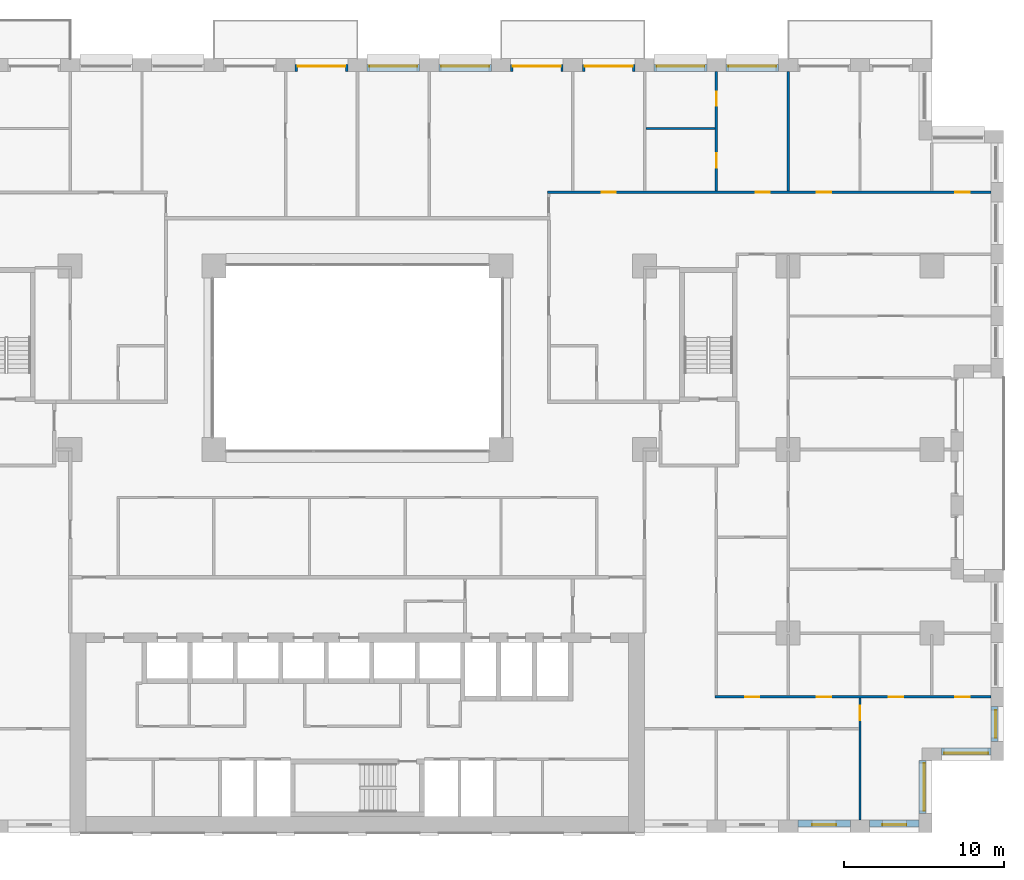
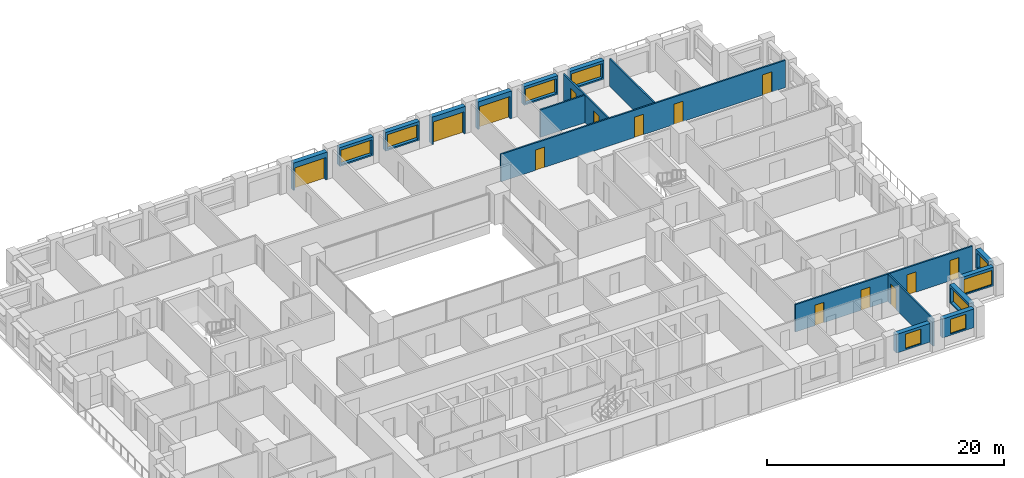
# One storey, part 15 of 19: 18 walls, 14 doors, 9 windows, 23 openings.
"""IFC4 building model written with IfcOpenShell, lengths in metres."""

from ifc_helpers import new_model, si_unit, direction, frame, frame_2d, origin, place, context, subcontext, project, spatial, rectangle, extrude, material, layer, layer_set, type_object, element, fill, save


model = new_model("IFC4")

# Units and contexts
model_context = context("Model", 3, precision=1e-05, world=origin(), true_north=direction((0.0, 1.0)))
body_context = subcontext(model_context, "Body", "Model", "MODEL_VIEW")
ifc_project = project(units=[si_unit("LENGTHUNIT", "METRE"), si_unit("AREAUNIT", "SQUARE_METRE"), si_unit("VOLUMEUNIT", "CUBIC_METRE"), si_unit("PLANEANGLEUNIT", "RADIAN"), si_unit("MASSUNIT", "GRAM", prefix="KILO")], contexts=[model_context])

# Site, building, storey
site_placement = place(None, origin())
site = spatial("IfcSite", under=ifc_project, at=site_placement, CompositionType="ELEMENT")
building_placement = place(site_placement, origin())
building = spatial("IfcBuilding", under=site, at=building_placement, Name="Brigalow Station Residences", CompositionType="ELEMENT")
storey_placement = place(building_placement, frame((0.0, 0.0, 22.64990234375)))
storey = spatial("IfcBuildingStorey", under=building, at=storey_placement, Name="L05", CompositionType="ELEMENT", Elevation=22.64990234375)

# Wall, opening, window
ifc_material_1 = material(Name="Clay brick masonry", Category="masonry")
ifc_layer_1 = layer(ifc_material_1, 0.449951171875)
ifc_layer_set_1 = layer_set([ifc_layer_1], Name="BRICK INFILL WALL 450")
wall_type_1 = type_object("IfcWallType", Name="BRICK INFILL WALL 450", PredefinedType="SOLIDWALL", material=ifc_layer_set_1)
wall_1_placement = place(storey_placement, frame((63.60009765625, 0.574951171875, 0.900146484375), z_axis=(0.0, 0.0, 1.0), x_axis=(1.0, 0.0, 0.0)))
wall_1 = element("IfcWall", 1, at=wall_1_placement, inside=storey, type_object=wall_type_1, Name="L05/ewall/W-L05-7", PredefinedType="SOLIDWALL", context=body_context, shape_type="SweptSolid", body=[
    extrude(rectangle(XDim=3.2998046875, YDim=0.449951171875, at=frame_2d((1.64990234375, 0.0))), origin(), (0.0, 0.0, 1.0), 1.929931640625),
])
opening_1_placement = place(wall_1_placement, frame((0.89990234375, 0.0, 0.14990234375)))
opening_1 = element("IfcOpeningElement", 2, at=opening_1_placement, cuts=wall_1, Name="Opening WT-1", PredefinedType="OPENING", context=body_context, shape_type="SweptSolid", body=[
    extrude(rectangle(XDim=1.5, YDim=1.5, at=frame_2d((0.75, 0.75))), frame((0.0, 0.23486328125, 0.0), z_axis=(0.0, -1.0, 0.0), x_axis=(1.0, 0.0, 0.0)), (0.0, 0.0, 1.0), 0.469970703125),
])
ifc_material_2 = material(Name="Anodised aluminium frame with double glazing", Category="aluminium")
window_type_1 = type_object("IfcWindowType", Name="WINDOW 1500x1500", PartitioningType="SINGLE_PANEL", PredefinedType="WINDOW", material=ifc_material_2)
window_1_placement = place(opening_1_placement, origin())
window_1 = element("IfcWindow", 3, at=window_1_placement, inside=storey, type_object=window_type_1, Name="L05/window/W-L05-7", OverallHeight=1.5, OverallWidth=1.5, PartitioningType="SINGLE_PANEL", PredefinedType="WINDOW", context=body_context, shape_type="SweptSolid", body=[
    extrude(rectangle(XDim=1.5, YDim=1.5, at=frame_2d((0.75, 0.75))), frame((0.0, -0.06494140625, 0.0), z_axis=(0.0, -1.0, 0.0), x_axis=(1.0, 0.0, 0.0)), (0.0, 0.0, 1.0), 0.06005859375),
])
fill(opening_1, window_1)

wall_2_placement = place(storey_placement, frame((68.10009765625, 0.574951171875, 0.900146484375), z_axis=(0.0, 0.0, 1.0), x_axis=(1.0, 0.0, 0.0)))
wall_2 = element("IfcWall", 4, at=wall_2_placement, inside=storey, type_object=wall_type_1, Name="L05/ewall/W-L05-8", PredefinedType="SOLIDWALL", context=body_context, shape_type="SweptSolid", body=[
    extrude(rectangle(XDim=3.099853515625, YDim=0.449951171875, at=frame_2d((1.5498046875, 0.0))), origin(), (0.0, 0.0, 1.0), 1.929931640625),
])
opening_2_placement = place(wall_2_placement, frame((0.800048828125, 0.0, 0.14990234375)))
opening_2 = element("IfcOpeningElement", 5, at=opening_2_placement, cuts=wall_2, Name="Opening WT-1", PredefinedType="OPENING", context=body_context, shape_type="SweptSolid", body=[
    extrude(rectangle(XDim=1.5, YDim=1.5, at=frame_2d((0.75, 0.75))), frame((0.0, 0.23486328125, 0.0), z_axis=(0.0, -1.0, 0.0), x_axis=(1.0, 0.0, 0.0)), (0.0, 0.0, 1.0), 0.469970703125),
])
window_2_placement = place(opening_2_placement, origin())
window_2 = element("IfcWindow", 6, at=window_2_placement, inside=storey, type_object=window_type_1, Name="L05/window/W-L05-8", OverallHeight=1.5, OverallWidth=1.5, PartitioningType="SINGLE_PANEL", PredefinedType="WINDOW", context=body_context, shape_type="SweptSolid", body=[
    extrude(rectangle(XDim=1.5, YDim=1.5, at=frame_2d((0.75, 0.75))), frame((0.0, -0.06494140625, 0.0), z_axis=(0.0, -1.0, 0.0), x_axis=(1.0, 0.0, 0.0)), (0.0, 0.0, 1.0), 0.06005859375),
])
fill(opening_2, window_2)

wall_3_placement = place(storey_placement, frame((71.425048828125, 1.199951171875, 0.900146484375), z_axis=(0.0, 0.0, 1.0), x_axis=(0.0, 1.0, 0.0)))
wall_3 = element("IfcWall", 7, at=wall_3_placement, inside=storey, type_object=wall_type_1, Name="L05/ewall/W-L05-9", PredefinedType="SOLIDWALL", context=body_context, shape_type="SweptSolid", body=[
    extrude(rectangle(XDim=3.300048828125, YDim=0.449951171875, at=frame_2d((1.64990234375, 0.0))), origin(), (0.0, 0.0, 1.0), 1.929931640625),
])
opening_3_placement = place(wall_3_placement, frame((0.14990234375, 0.0, 0.14990234375)))
opening_3 = element("IfcOpeningElement", 8, at=opening_3_placement, cuts=wall_3, Name="Opening WT-2", PredefinedType="OPENING", context=body_context, shape_type="SweptSolid", body=[
    extrude(rectangle(XDim=3.0, YDim=1.5, at=frame_2d((1.5, 0.75))), frame((0.0, 0.23486328125, 0.0), z_axis=(0.0, -1.0, 0.0), x_axis=(1.0, 0.0, 0.0)), (0.0, 0.0, 1.0), 0.469970703125),
])
ifc_material_3 = material(Name="Anodised aluminium frame with double glazing", Category="aluminium")
window_type_2 = type_object("IfcWindowType", Name="WINDOW 3000x1500", PartitioningType="SINGLE_PANEL", PredefinedType="WINDOW", material=ifc_material_3)
window_3_placement = place(opening_3_placement, origin())
window_3 = element("IfcWindow", 9, at=window_3_placement, inside=storey, type_object=window_type_2, Name="L05/window/W-L05-9", OverallHeight=1.5, OverallWidth=3.0, PartitioningType="SINGLE_PANEL", PredefinedType="WINDOW", context=body_context, shape_type="SweptSolid", body=[
    extrude(rectangle(XDim=3.0, YDim=1.5, at=frame_2d((1.5, 0.75))), frame((0.0, -0.06494140625, 0.0), z_axis=(0.0, -1.0, 0.0), x_axis=(1.0, 0.0, 0.0)), (0.0, 0.0, 1.0), 0.06005859375),
])
fill(opening_3, window_3)

wall_4_placement = place(storey_placement, frame((72.60009765625, 5.074951171875, 0.900146484375), z_axis=(0.0, 0.0, 1.0), x_axis=(1.0, 0.0, 0.0)))
wall_4 = element("IfcWall", 10, at=wall_4_placement, inside=storey, type_object=wall_type_1, Name="L05/ewall/W-L05-10", PredefinedType="SOLIDWALL", context=body_context, shape_type="SweptSolid", body=[
    extrude(rectangle(XDim=3.099853515625, YDim=0.449951171875, at=frame_2d((1.5498046875, 0.0))), origin(), (0.0, 0.0, 1.0), 1.929931640625),
])
opening_4_placement = place(wall_4_placement, frame((0.175048828125, 0.0, 0.14990234375)))
opening_4 = element("IfcOpeningElement", 11, at=opening_4_placement, cuts=wall_4, Name="Opening WT-3", PredefinedType="OPENING", context=body_context, shape_type="SweptSolid", body=[
    extrude(rectangle(XDim=2.75, YDim=1.5, at=frame_2d((1.375, 0.75))), frame((0.0, 0.23486328125, 0.0), z_axis=(0.0, -1.0, 0.0), x_axis=(1.0, 0.0, 0.0)), (0.0, 0.0, 1.0), 0.469970703125),
])
ifc_material_4 = material(Name="Anodised aluminium frame with double glazing", Category="aluminium")
window_type_3 = type_object("IfcWindowType", Name="WINDOW 2750x1500", PartitioningType="SINGLE_PANEL", PredefinedType="WINDOW", material=ifc_material_4)
window_4_placement = place(opening_4_placement, origin())
window_4 = element("IfcWindow", 12, at=window_4_placement, inside=storey, type_object=window_type_3, Name="L05/window/W-L05-10", OverallHeight=1.5, OverallWidth=2.75, PartitioningType="SINGLE_PANEL", PredefinedType="WINDOW", context=body_context, shape_type="SweptSolid", body=[
    extrude(rectangle(XDim=2.75, YDim=1.5, at=frame_2d((1.375, 0.75))), frame((0.0, -0.06494140625, 0.0), z_axis=(0.0, -1.0, 0.0), x_axis=(1.0, 0.0, 0.0)), (0.0, 0.0, 1.0), 0.06005859375),
])
fill(opening_4, window_4)

wall_5_placement = place(storey_placement, frame((75.925048828125, 5.699951171875, 0.900146484375), z_axis=(0.0, 0.0, 1.0), x_axis=(0.0, 1.0, 0.0)))
wall_5 = element("IfcWall", 13, at=wall_5_placement, inside=storey, type_object=wall_type_1, Name="L05/ewall/W-L05-11", PredefinedType="SOLIDWALL", context=body_context, shape_type="SweptSolid", body=[
    extrude(rectangle(XDim=2.199951171875, YDim=0.449951171875, at=frame_2d((1.10009765625, 0.0))), origin(), (0.0, 0.0, 1.0), 1.929931640625),
])
opening_5_placement = place(wall_5_placement, frame((0.22509765625, 0.0, 0.14990234375)))
opening_5 = element("IfcOpeningElement", 14, at=opening_5_placement, cuts=wall_5, Name="Opening WT-4", PredefinedType="OPENING", context=body_context, shape_type="SweptSolid", body=[
    extrude(rectangle(XDim=1.75, YDim=1.5, at=frame_2d((0.875, 0.75))), frame((0.0, 0.23486328125, 0.0), z_axis=(0.0, -1.0, 0.0), x_axis=(1.0, 0.0, 0.0)), (0.0, 0.0, 1.0), 0.469970703125),
])
ifc_material_5 = material(Name="Anodised aluminium frame with double glazing", Category="aluminium")
window_type_4 = type_object("IfcWindowType", Name="WINDOW 1750x1500", PartitioningType="SINGLE_PANEL", PredefinedType="WINDOW", material=ifc_material_5)
window_5_placement = place(opening_5_placement, origin())
window_5 = element("IfcWindow", 15, at=window_5_placement, inside=storey, type_object=window_type_4, Name="L05/window/W-L05-11", OverallHeight=1.5, OverallWidth=1.75, PartitioningType="SINGLE_PANEL", PredefinedType="WINDOW", context=body_context, shape_type="SweptSolid", body=[
    extrude(rectangle(XDim=1.75, YDim=1.5, at=frame_2d((0.875, 0.75))), frame((0.0, -0.06494140625, 0.0), z_axis=(0.0, -1.0, 0.0), x_axis=(1.0, 0.0, 0.0)), (0.0, 0.0, 1.0), 0.06005859375),
])
fill(opening_5, window_5)

wall_6_placement = place(storey_placement, frame((62.39990234375, 47.925048828125, 0.900146484375), z_axis=(0.0, 0.0, 1.0), x_axis=(-1.0, 0.0, 0.0)))
wall_6 = element("IfcWall", 16, at=wall_6_placement, inside=storey, type_object=wall_type_1, Name="L05/ewall/W-L05-27", PredefinedType="SOLIDWALL", context=body_context, shape_type="SweptSolid", body=[
    extrude(rectangle(XDim=3.2998046875, YDim=0.449951171875, at=frame_2d((1.64990234375, 0.0))), origin(), (0.0, 0.0, 1.0), 1.929931640625),
])
opening_6_placement = place(wall_6_placement, frame((0.14990234375, 0.0, 0.14990234375)))
opening_6 = element("IfcOpeningElement", 17, at=opening_6_placement, cuts=wall_6, Name="Opening WT-2", PredefinedType="OPENING", context=body_context, shape_type="SweptSolid", body=[
    extrude(rectangle(XDim=3.0, YDim=1.5, at=frame_2d((1.5, 0.75))), frame((0.0, 0.23486328125, 0.0), z_axis=(0.0, -1.0, 0.0), x_axis=(1.0, 0.0, 0.0)), (0.0, 0.0, 1.0), 0.469970703125),
])
window_6_placement = place(opening_6_placement, origin())
window_6 = element("IfcWindow", 18, at=window_6_placement, inside=storey, type_object=window_type_2, Name="L05/window/W-L05-27", OverallHeight=1.5, OverallWidth=3.0, PartitioningType="SINGLE_PANEL", PredefinedType="WINDOW", context=body_context, shape_type="SweptSolid", body=[
    extrude(rectangle(XDim=3.0, YDim=1.5, at=frame_2d((1.5, 0.75))), frame((0.0, -0.06494140625, 0.0), z_axis=(0.0, -1.0, 0.0), x_axis=(1.0, 0.0, 0.0)), (0.0, 0.0, 1.0), 0.06005859375),
])
fill(opening_6, window_6)

wall_7_placement = place(storey_placement, frame((57.89990234375, 47.925048828125, 0.900146484375), z_axis=(0.0, 0.0, 1.0), x_axis=(-1.0, 0.0, 0.0)))
wall_7 = element("IfcWall", 19, at=wall_7_placement, inside=storey, type_object=wall_type_1, Name="L05/ewall/W-L05-28", PredefinedType="SOLIDWALL", context=body_context, shape_type="SweptSolid", body=[
    extrude(rectangle(XDim=3.2998046875, YDim=0.449951171875, at=frame_2d((1.64990234375, 0.0))), origin(), (0.0, 0.0, 1.0), 1.929931640625),
])
opening_7_placement = place(wall_7_placement, frame((0.14990234375, 0.0, 0.14990234375)))
opening_7 = element("IfcOpeningElement", 20, at=opening_7_placement, cuts=wall_7, Name="Opening WT-2", PredefinedType="OPENING", context=body_context, shape_type="SweptSolid", body=[
    extrude(rectangle(XDim=3.0, YDim=1.5, at=frame_2d((1.5, 0.75))), frame((0.0, 0.23486328125, 0.0), z_axis=(0.0, -1.0, 0.0), x_axis=(1.0, 0.0, 0.0)), (0.0, 0.0, 1.0), 0.469970703125),
])
window_7_placement = place(opening_7_placement, origin())
window_7 = element("IfcWindow", 21, at=window_7_placement, inside=storey, type_object=window_type_2, Name="L05/window/W-L05-28", OverallHeight=1.5, OverallWidth=3.0, PartitioningType="SINGLE_PANEL", PredefinedType="WINDOW", context=body_context, shape_type="SweptSolid", body=[
    extrude(rectangle(XDim=3.0, YDim=1.5, at=frame_2d((1.5, 0.75))), frame((0.0, -0.06494140625, 0.0), z_axis=(0.0, -1.0, 0.0), x_axis=(1.0, 0.0, 0.0)), (0.0, 0.0, 1.0), 0.06005859375),
])
fill(opening_7, window_7)

# Wall, opening, door
wall_8_placement = place(storey_placement, frame((53.39990234375, 47.925048828125, 0.0), z_axis=(0.0, 0.0, 1.0), x_axis=(-1.0, 0.0, 0.0)))
wall_8 = element("IfcWall", 22, at=wall_8_placement, inside=storey, type_object=wall_type_1, Name="L05/ewall/W-L05-29", PredefinedType="SOLIDWALL", context=body_context, shape_type="SweptSolid", body=[
    extrude(rectangle(XDim=3.2998046875, YDim=0.449951171875, at=frame_2d((1.64990234375, 0.0))), origin(), (0.0, 0.0, 1.0), 2.830078125),
])
opening_8_placement = place(wall_8_placement, frame((0.14990234375, 0.0, 0.0)))
opening_8 = element("IfcOpeningElement", 23, at=opening_8_placement, cuts=wall_8, Name="Opening D-B3000", PredefinedType="OPENING", context=body_context, shape_type="SweptSolid", body=[
    extrude(rectangle(XDim=3.0, YDim=2.300048828125, at=frame_2d((1.5, 1.14990234375))), frame((0.0, 0.23486328125, 0.0), z_axis=(0.0, -1.0, 0.0), x_axis=(1.0, 0.0, 0.0)), (0.0, 0.0, 1.0), 0.469970703125),
])
ifc_material_6 = material(Name="Anodised aluminium frame with double glazing", Category="aluminium")
door_type_1 = type_object("IfcDoorType", Name="BALCONY SLIDING DOOR 3000x2300", OperationType="SLIDING_TO_LEFT", PredefinedType="DOOR", material=ifc_material_6)
door_1_placement = place(opening_8_placement, origin())
door_1 = element("IfcDoor", 24, at=door_1_placement, inside=storey, type_object=door_type_1, Name="L05/balcony-door/W-L05-29", OperationType="SLIDING_TO_LEFT", OverallHeight=2.300048828125, OverallWidth=3.0, PredefinedType="DOOR", context=body_context, shape_type="SweptSolid", body=[
    extrude(rectangle(XDim=3.0, YDim=2.300048828125, at=frame_2d((1.5, 1.14990234375))), frame((0.0, -0.06982421875, 0.0), z_axis=(0.0, -1.0, 0.0), x_axis=(1.0, 0.0, 0.0)), (0.0, 0.0, 1.0), 0.050048828125),
])
fill(opening_8, door_1)

wall_9_placement = place(storey_placement, frame((48.89990234375, 47.925048828125, 0.0), z_axis=(0.0, 0.0, 1.0), x_axis=(-1.0, 0.0, 0.0)))
wall_9 = element("IfcWall", 25, at=wall_9_placement, inside=storey, type_object=wall_type_1, Name="L05/ewall/W-L05-30", PredefinedType="SOLIDWALL", context=body_context, shape_type="SweptSolid", body=[
    extrude(rectangle(XDim=3.2998046875, YDim=0.449951171875, at=frame_2d((1.64990234375, 0.0))), origin(), (0.0, 0.0, 1.0), 2.830078125),
])
opening_9_placement = place(wall_9_placement, frame((0.14990234375, 0.0, 0.0)))
opening_9 = element("IfcOpeningElement", 26, at=opening_9_placement, cuts=wall_9, Name="Opening D-B3000", PredefinedType="OPENING", context=body_context, shape_type="SweptSolid", body=[
    extrude(rectangle(XDim=3.0, YDim=2.300048828125, at=frame_2d((1.5, 1.14990234375))), frame((0.0, 0.23486328125, 0.0), z_axis=(0.0, -1.0, 0.0), x_axis=(1.0, 0.0, 0.0)), (0.0, 0.0, 1.0), 0.469970703125),
])
door_2_placement = place(opening_9_placement, origin())
door_2 = element("IfcDoor", 27, at=door_2_placement, inside=storey, type_object=door_type_1, Name="L05/balcony-door/W-L05-30", OperationType="SLIDING_TO_LEFT", OverallHeight=2.300048828125, OverallWidth=3.0, PredefinedType="DOOR", context=body_context, shape_type="SweptSolid", body=[
    extrude(rectangle(XDim=3.0, YDim=2.300048828125, at=frame_2d((1.5, 1.14990234375))), frame((0.0, -0.06982421875, 0.0), z_axis=(0.0, -1.0, 0.0), x_axis=(1.0, 0.0, 0.0)), (0.0, 0.0, 1.0), 0.050048828125),
])
fill(opening_9, door_2)

# Wall, opening, window
wall_10_placement = place(storey_placement, frame((44.39990234375, 47.925048828125, 0.900146484375), z_axis=(0.0, 0.0, 1.0), x_axis=(-1.0, 0.0, 0.0)))
wall_10 = element("IfcWall", 28, at=wall_10_placement, inside=storey, type_object=wall_type_1, Name="L05/ewall/W-L05-31", PredefinedType="SOLIDWALL", context=body_context, shape_type="SweptSolid", body=[
    extrude(rectangle(XDim=3.2998046875, YDim=0.449951171875, at=frame_2d((1.64990234375, 0.0))), origin(), (0.0, 0.0, 1.0), 1.929931640625),
])
opening_10_placement = place(wall_10_placement, frame((0.14990234375, 0.0, 0.14990234375)))
opening_10 = element("IfcOpeningElement", 29, at=opening_10_placement, cuts=wall_10, Name="Opening WT-2", PredefinedType="OPENING", context=body_context, shape_type="SweptSolid", body=[
    extrude(rectangle(XDim=3.0, YDim=1.5, at=frame_2d((1.5, 0.75))), frame((0.0, 0.23486328125, 0.0), z_axis=(0.0, -1.0, 0.0), x_axis=(1.0, 0.0, 0.0)), (0.0, 0.0, 1.0), 0.469970703125),
])
window_8_placement = place(opening_10_placement, origin())
window_8 = element("IfcWindow", 30, at=window_8_placement, inside=storey, type_object=window_type_2, Name="L05/window/W-L05-31", OverallHeight=1.5, OverallWidth=3.0, PartitioningType="SINGLE_PANEL", PredefinedType="WINDOW", context=body_context, shape_type="SweptSolid", body=[
    extrude(rectangle(XDim=3.0, YDim=1.5, at=frame_2d((1.5, 0.75))), frame((0.0, -0.06494140625, 0.0), z_axis=(0.0, -1.0, 0.0), x_axis=(1.0, 0.0, 0.0)), (0.0, 0.0, 1.0), 0.06005859375),
])
fill(opening_10, window_8)

wall_11_placement = place(storey_placement, frame((39.89990234375, 47.925048828125, 0.900146484375), z_axis=(0.0, 0.0, 1.0), x_axis=(-1.0, 0.0, 0.0)))
wall_11 = element("IfcWall", 31, at=wall_11_placement, inside=storey, type_object=wall_type_1, Name="L05/ewall/W-L05-32", PredefinedType="SOLIDWALL", context=body_context, shape_type="SweptSolid", body=[
    extrude(rectangle(XDim=3.2998046875, YDim=0.449951171875, at=frame_2d((1.64990234375, 0.0))), origin(), (0.0, 0.0, 1.0), 1.929931640625),
])
opening_11_placement = place(wall_11_placement, frame((0.14990234375, 0.0, 0.14990234375)))
opening_11 = element("IfcOpeningElement", 32, at=opening_11_placement, cuts=wall_11, Name="Opening WT-2", PredefinedType="OPENING", context=body_context, shape_type="SweptSolid", body=[
    extrude(rectangle(XDim=3.0, YDim=1.5, at=frame_2d((1.5, 0.75))), frame((0.0, 0.23486328125, 0.0), z_axis=(0.0, -1.0, 0.0), x_axis=(1.0, 0.0, 0.0)), (0.0, 0.0, 1.0), 0.469970703125),
])
window_9_placement = place(opening_11_placement, origin())
window_9 = element("IfcWindow", 33, at=window_9_placement, inside=storey, type_object=window_type_2, Name="L05/window/W-L05-32", OverallHeight=1.5, OverallWidth=3.0, PartitioningType="SINGLE_PANEL", PredefinedType="WINDOW", context=body_context, shape_type="SweptSolid", body=[
    extrude(rectangle(XDim=3.0, YDim=1.5, at=frame_2d((1.5, 0.75))), frame((0.0, -0.06494140625, 0.0), z_axis=(0.0, -1.0, 0.0), x_axis=(1.0, 0.0, 0.0)), (0.0, 0.0, 1.0), 0.06005859375),
])
fill(opening_11, window_9)

# Wall, opening, door
wall_12_placement = place(storey_placement, frame((35.39990234375, 47.925048828125, 0.0), z_axis=(0.0, 0.0, 1.0), x_axis=(-1.0, 0.0, 0.0)))
wall_12 = element("IfcWall", 34, at=wall_12_placement, inside=storey, type_object=wall_type_1, Name="L05/ewall/W-L05-33", PredefinedType="SOLIDWALL", context=body_context, shape_type="SweptSolid", body=[
    extrude(rectangle(XDim=3.2998046875, YDim=0.449951171875, at=frame_2d((1.64990234375, 0.0))), origin(), (0.0, 0.0, 1.0), 2.830078125),
])
opening_12_placement = place(wall_12_placement, frame((0.14990234375, 0.0, 0.0)))
opening_12 = element("IfcOpeningElement", 35, at=opening_12_placement, cuts=wall_12, Name="Opening D-B3000", PredefinedType="OPENING", context=body_context, shape_type="SweptSolid", body=[
    extrude(rectangle(XDim=3.0, YDim=2.300048828125, at=frame_2d((1.5, 1.14990234375))), frame((0.0, 0.23486328125, 0.0), z_axis=(0.0, -1.0, 0.0), x_axis=(1.0, 0.0, 0.0)), (0.0, 0.0, 1.0), 0.469970703125),
])
door_3_placement = place(opening_12_placement, origin())
door_3 = element("IfcDoor", 36, at=door_3_placement, inside=storey, type_object=door_type_1, Name="L05/balcony-door/W-L05-33", OperationType="SLIDING_TO_LEFT", OverallHeight=2.300048828125, OverallWidth=3.0, PredefinedType="DOOR", context=body_context, shape_type="SweptSolid", body=[
    extrude(rectangle(XDim=3.0, YDim=2.300048828125, at=frame_2d((1.5, 1.14990234375))), frame((0.0, -0.06982421875, 0.0), z_axis=(0.0, -1.0, 0.0), x_axis=(1.0, 0.0, 0.0)), (0.0, 0.0, 1.0), 0.050048828125),
])
fill(opening_12, door_3)

# Wall, openings, doors
ifc_material_7 = material(Name="Plasterboard on steel stud partition", Category="steel")
ifc_layer_2 = layer(ifc_material_7, 0.14990234375)
ifc_layer_set_2 = layer_set([ifc_layer_2], Name="FLAT PARTITION 150")
wall_type_2 = type_object("IfcWallType", Name="FLAT PARTITION 150", PredefinedType="PARTITIONING", material=ifc_layer_set_2)
wall_13_placement = place(storey_placement, frame((58.425048828125, 8.5, 0.0), z_axis=(0.0, 0.0, 1.0), x_axis=(1.0, 0.0, 0.0)))
wall_13 = element("IfcWall", 37, at=wall_13_placement, inside=storey, type_object=wall_type_2, Name="PW-1A10", PredefinedType="PARTITIONING", context=body_context, shape_type="SweptSolid", body=[
    extrude(rectangle(XDim=17.27490234375, YDim=0.14990234375, at=frame_2d((8.637451171875, 0.0))), origin(), (0.0, 0.0, 1.0), 2.830078125),
])
opening_13_placement = place(wall_13_placement, frame((1.875, 0.0, 0.0)))
opening_13 = element("IfcOpeningElement", 38, at=opening_13_placement, cuts=wall_13, Name="Opening D-1A33", PredefinedType="OPENING", context=body_context, shape_type="SweptSolid", body=[
    extrude(rectangle(XDim=0.89990234375, YDim=2.10009765625, at=frame_2d((0.449951171875, 1.050048828125))), frame((0.0, 0.0849609375, 0.0), z_axis=(0.0, -1.0, 0.0), x_axis=(1.0, 0.0, 0.0)), (0.0, 0.0, 1.0), 0.169921875),
])
opening_14_placement = place(wall_13_placement, frame((6.375, 0.0, 0.0)))
opening_14 = element("IfcOpeningElement", 39, at=opening_14_placement, cuts=wall_13, Name="Opening D-1A34", PredefinedType="OPENING", context=body_context, shape_type="SweptSolid", body=[
    extrude(rectangle(XDim=0.89990234375, YDim=2.10009765625, at=frame_2d((0.449951171875, 1.050048828125))), frame((0.0, 0.0849609375, 0.0), z_axis=(0.0, -1.0, 0.0), x_axis=(1.0, 0.0, 0.0)), (0.0, 0.0, 1.0), 0.169921875),
])
opening_15_placement = place(wall_13_placement, frame((10.875, 0.0, 0.0)))
opening_15 = element("IfcOpeningElement", 40, at=opening_15_placement, cuts=wall_13, Name="Opening D-1A36", PredefinedType="OPENING", context=body_context, shape_type="SweptSolid", body=[
    extrude(rectangle(XDim=0.89990234375, YDim=2.10009765625, at=frame_2d((0.449951171875, 1.050048828125))), frame((0.0, 0.0849609375, 0.0), z_axis=(0.0, -1.0, 0.0), x_axis=(1.0, 0.0, 0.0)), (0.0, 0.0, 1.0), 0.169921875),
])
opening_16_placement = place(wall_13_placement, frame((15.050048828125, 0.0, 0.0)))
opening_16 = element("IfcOpeningElement", 41, at=opening_16_placement, cuts=wall_13, Name="Opening D-1A37", PredefinedType="OPENING", context=body_context, shape_type="SweptSolid", body=[
    extrude(rectangle(XDim=0.89990234375, YDim=2.10009765625, at=frame_2d((0.449951171875, 1.050048828125))), frame((0.0, 0.0849609375, 0.0), z_axis=(0.0, -1.0, 0.0), x_axis=(1.0, 0.0, 0.0)), (0.0, 0.0, 1.0), 0.169921875),
])
ifc_material_8 = material(Name="Solid-core timber door leaf", Category="wood")
door_type_2 = type_object("IfcDoorType", Name="INTERNAL DOOR 900 x 2100", OperationType="SINGLE_SWING_LEFT", PredefinedType="DOOR", material=ifc_material_8)
door_4_placement = place(opening_13_placement, origin())
door_4 = element("IfcDoor", 42, at=door_4_placement, inside=storey, type_object=door_type_2, Name="D-1A33", OperationType="SINGLE_SWING_LEFT", OverallHeight=2.10009765625, OverallWidth=0.89990234375, PredefinedType="DOOR", context=body_context, shape_type="SweptSolid", body=[
    extrude(rectangle(XDim=0.89990234375, YDim=2.10009765625, at=frame_2d((0.449951171875, 1.050048828125))), frame((0.0, 0.02490234375, 0.0), z_axis=(0.0, -1.0, 0.0), x_axis=(1.0, 0.0, 0.0)), (0.0, 0.0, 1.0), 0.050048828125),
])
fill(opening_13, door_4)
door_5_placement = place(opening_14_placement, origin())
door_5 = element("IfcDoor", 43, at=door_5_placement, inside=storey, type_object=door_type_2, Name="D-1A34", OperationType="SINGLE_SWING_LEFT", OverallHeight=2.10009765625, OverallWidth=0.89990234375, PredefinedType="DOOR", context=body_context, shape_type="SweptSolid", body=[
    extrude(rectangle(XDim=0.89990234375, YDim=2.10009765625, at=frame_2d((0.449951171875, 1.050048828125))), frame((0.0, 0.02490234375, 0.0), z_axis=(0.0, -1.0, 0.0), x_axis=(1.0, 0.0, 0.0)), (0.0, 0.0, 1.0), 0.050048828125),
])
fill(opening_14, door_5)
door_6_placement = place(opening_15_placement, origin())
door_6 = element("IfcDoor", 44, at=door_6_placement, inside=storey, type_object=door_type_2, Name="D-1A36", OperationType="SINGLE_SWING_LEFT", OverallHeight=2.10009765625, OverallWidth=0.89990234375, PredefinedType="DOOR", context=body_context, shape_type="SweptSolid", body=[
    extrude(rectangle(XDim=0.89990234375, YDim=2.10009765625, at=frame_2d((0.449951171875, 1.050048828125))), frame((0.0, 0.02490234375, 0.0), z_axis=(0.0, -1.0, 0.0), x_axis=(1.0, 0.0, 0.0)), (0.0, 0.0, 1.0), 0.050048828125),
])
fill(opening_15, door_6)
door_7_placement = place(opening_16_placement, origin())
door_7 = element("IfcDoor", 45, at=door_7_placement, inside=storey, type_object=door_type_2, Name="D-1A37", OperationType="SINGLE_SWING_RIGHT", OverallHeight=2.10009765625, OverallWidth=0.89990234375, PredefinedType="DOOR", context=body_context, shape_type="SweptSolid", body=[
    extrude(rectangle(XDim=0.89990234375, YDim=2.10009765625, at=frame_2d((0.449951171875, 1.050048828125))), frame((0.0, 0.02490234375, 0.0), z_axis=(0.0, -1.0, 0.0), x_axis=(1.0, 0.0, 0.0)), (0.0, 0.0, 1.0), 0.050048828125),
])
fill(opening_16, door_7)

wall_14_placement = place(storey_placement, frame((47.925048828125, 40.125, 0.0), z_axis=(0.0, 0.0, 1.0), x_axis=(1.0, 0.0, 0.0)))
wall_14 = element("IfcWall", 46, at=wall_14_placement, inside=storey, type_object=wall_type_2, Name="PW-1A23", PredefinedType="PARTITIONING", context=body_context, shape_type="SweptSolid", body=[
    extrude(rectangle(XDim=27.77490234375, YDim=0.14990234375, at=frame_2d((13.887451171875, 0.0))), origin(), (0.0, 0.0, 1.0), 2.830078125),
])
opening_17_placement = place(wall_14_placement, frame((16.875, 0.0, 0.0)))
opening_17 = element("IfcOpeningElement", 47, at=opening_17_placement, cuts=wall_14, Name="Opening D-1A53", PredefinedType="OPENING", context=body_context, shape_type="SweptSolid", body=[
    extrude(rectangle(XDim=0.89990234375, YDim=2.10009765625, at=frame_2d((0.449951171875, 1.050048828125))), frame((0.0, 0.0849609375, 0.0), z_axis=(0.0, -1.0, 0.0), x_axis=(1.0, 0.0, 0.0)), (0.0, 0.0, 1.0), 0.169921875),
])
opening_18_placement = place(wall_14_placement, frame((13.02490234375, 0.0, 0.0)))
opening_18 = element("IfcOpeningElement", 48, at=opening_18_placement, cuts=wall_14, Name="Opening D-1A55", PredefinedType="OPENING", context=body_context, shape_type="SweptSolid", body=[
    extrude(rectangle(XDim=0.89990234375, YDim=2.10009765625, at=frame_2d((0.449951171875, 1.050048828125))), frame((0.0, 0.0849609375, 0.0), z_axis=(0.0, -1.0, 0.0), x_axis=(1.0, 0.0, 0.0)), (0.0, 0.0, 1.0), 0.169921875),
])
opening_19_placement = place(wall_14_placement, frame((3.375, 0.0, 0.0)))
opening_19 = element("IfcOpeningElement", 49, at=opening_19_placement, cuts=wall_14, Name="Opening D-1A58", PredefinedType="OPENING", context=body_context, shape_type="SweptSolid", body=[
    extrude(rectangle(XDim=0.89990234375, YDim=2.10009765625, at=frame_2d((0.449951171875, 1.050048828125))), frame((0.0, 0.0849609375, 0.0), z_axis=(0.0, -1.0, 0.0), x_axis=(1.0, 0.0, 0.0)), (0.0, 0.0, 1.0), 0.169921875),
])
opening_20_placement = place(wall_14_placement, frame((25.550048828125, 0.0, 0.0)))
opening_20 = element("IfcOpeningElement", 50, at=opening_20_placement, cuts=wall_14, Name="Opening D-1A59", PredefinedType="OPENING", context=body_context, shape_type="SweptSolid", body=[
    extrude(rectangle(XDim=0.89990234375, YDim=2.10009765625, at=frame_2d((0.449951171875, 1.050048828125))), frame((0.0, 0.0849609375, 0.0), z_axis=(0.0, -1.0, 0.0), x_axis=(1.0, 0.0, 0.0)), (0.0, 0.0, 1.0), 0.169921875),
])
door_8_placement = place(opening_17_placement, origin())
door_8 = element("IfcDoor", 51, at=door_8_placement, inside=storey, type_object=door_type_2, Name="D-1A53", OperationType="SINGLE_SWING_RIGHT", OverallHeight=2.10009765625, OverallWidth=0.89990234375, PredefinedType="DOOR", context=body_context, shape_type="SweptSolid", body=[
    extrude(rectangle(XDim=0.89990234375, YDim=2.10009765625, at=frame_2d((0.449951171875, 1.050048828125))), frame((0.0, 0.02490234375, 0.0), z_axis=(0.0, -1.0, 0.0), x_axis=(1.0, 0.0, 0.0)), (0.0, 0.0, 1.0), 0.050048828125),
])
fill(opening_17, door_8)
door_9_placement = place(opening_18_placement, origin())
door_9 = element("IfcDoor", 52, at=door_9_placement, inside=storey, type_object=door_type_2, Name="D-1A55", OperationType="SINGLE_SWING_RIGHT", OverallHeight=2.10009765625, OverallWidth=0.89990234375, PredefinedType="DOOR", context=body_context, shape_type="SweptSolid", body=[
    extrude(rectangle(XDim=0.89990234375, YDim=2.10009765625, at=frame_2d((0.449951171875, 1.050048828125))), frame((0.0, 0.02490234375, 0.0), z_axis=(0.0, -1.0, 0.0), x_axis=(1.0, 0.0, 0.0)), (0.0, 0.0, 1.0), 0.050048828125),
])
fill(opening_18, door_9)
door_10_placement = place(opening_19_placement, origin())
door_10 = element("IfcDoor", 53, at=door_10_placement, inside=storey, type_object=door_type_2, Name="D-1A58", OperationType="SINGLE_SWING_RIGHT", OverallHeight=2.10009765625, OverallWidth=0.89990234375, PredefinedType="DOOR", context=body_context, shape_type="SweptSolid", body=[
    extrude(rectangle(XDim=0.89990234375, YDim=2.10009765625, at=frame_2d((0.449951171875, 1.050048828125))), frame((0.0, 0.02490234375, 0.0), z_axis=(0.0, -1.0, 0.0), x_axis=(1.0, 0.0, 0.0)), (0.0, 0.0, 1.0), 0.050048828125),
])
fill(opening_19, door_10)
door_11_placement = place(opening_20_placement, origin())
door_11 = element("IfcDoor", 54, at=door_11_placement, inside=storey, type_object=door_type_2, Name="D-1A59", OperationType="SINGLE_SWING_RIGHT", OverallHeight=2.10009765625, OverallWidth=0.89990234375, PredefinedType="DOOR", context=body_context, shape_type="SweptSolid", body=[
    extrude(rectangle(XDim=0.89990234375, YDim=2.10009765625, at=frame_2d((0.449951171875, 1.050048828125))), frame((0.0, 0.02490234375, 0.0), z_axis=(0.0, -1.0, 0.0), x_axis=(1.0, 0.0, 0.0)), (0.0, 0.0, 1.0), 0.050048828125),
])
fill(opening_20, door_11)

# Wall
wall_15_placement = place(storey_placement, frame((54.074951171875, 44.125, 0.0), z_axis=(0.0, 0.0, 1.0), x_axis=(1.0, 0.0, 0.0)))
element("IfcWall", 55, at=wall_15_placement, inside=storey, type_object=wall_type_2, Name="PW-1A27", PredefinedType="PARTITIONING", context=body_context, shape_type="SweptSolid", body=[
    extrude(rectangle(XDim=4.35009765625, YDim=0.14990234375, at=frame_2d((2.175048828125, 0.0))), origin(), (0.0, 0.0, 1.0), 2.830078125),
])

# Wall, openings, doors
wall_16_placement = place(storey_placement, frame((58.5, 40.199951171875, 0.0), z_axis=(0.0, 0.0, 1.0), x_axis=(0.0, 1.0, 0.0)))
wall_16 = element("IfcWall", 56, at=wall_16_placement, inside=storey, type_object=wall_type_2, Name="PW-1A63", PredefinedType="PARTITIONING", context=body_context, shape_type="SweptSolid", body=[
    extrude(rectangle(XDim=7.5, YDim=0.14990234375, at=frame_2d((3.75, 0.0))), origin(), (0.0, 0.0, 1.0), 2.830078125),
])
opening_21_placement = place(wall_16_placement, frame((1.47509765625, 0.0, 0.0)))
opening_21 = element("IfcOpeningElement", 57, at=opening_21_placement, cuts=wall_16, Name="Opening D-1A56", PredefinedType="OPENING", context=body_context, shape_type="SweptSolid", body=[
    extrude(rectangle(XDim=0.89990234375, YDim=2.10009765625, at=frame_2d((0.449951171875, 1.050048828125))), frame((0.0, 0.0849609375, 0.0), z_axis=(0.0, -1.0, 0.0), x_axis=(1.0, 0.0, 0.0)), (0.0, 0.0, 1.0), 0.169921875),
])
opening_22_placement = place(wall_16_placement, frame((5.3369140625, 0.0, 0.0)))
opening_22 = element("IfcOpeningElement", 58, at=opening_22_placement, cuts=wall_16, Name="Opening D-1A57", PredefinedType="OPENING", context=body_context, shape_type="SweptSolid", body=[
    extrude(rectangle(XDim=0.89990234375, YDim=2.10009765625, at=frame_2d((0.449951171875, 1.050048828125))), frame((0.0, 0.0849609375, 0.0), z_axis=(0.0, -1.0, 0.0), x_axis=(1.0, 0.0, 0.0)), (0.0, 0.0, 1.0), 0.169921875),
])
door_12_placement = place(opening_21_placement, origin())
door_12 = element("IfcDoor", 59, at=door_12_placement, inside=storey, type_object=door_type_2, Name="D-1A56", OperationType="SINGLE_SWING_RIGHT", OverallHeight=2.10009765625, OverallWidth=0.89990234375, PredefinedType="DOOR", context=body_context, shape_type="SweptSolid", body=[
    extrude(rectangle(XDim=0.89990234375, YDim=2.10009765625, at=frame_2d((0.449951171875, 1.050048828125))), frame((0.0, 0.02490234375, 0.0), z_axis=(0.0, -1.0, 0.0), x_axis=(1.0, 0.0, 0.0)), (0.0, 0.0, 1.0), 0.050048828125),
])
fill(opening_21, door_12)
door_13_placement = place(opening_22_placement, origin())
door_13 = element("IfcDoor", 60, at=door_13_placement, inside=storey, type_object=door_type_2, Name="D-1A57", OperationType="SINGLE_SWING_RIGHT", OverallHeight=2.10009765625, OverallWidth=0.89990234375, PredefinedType="DOOR", context=body_context, shape_type="SweptSolid", body=[
    extrude(rectangle(XDim=0.89990234375, YDim=2.10009765625, at=frame_2d((0.449951171875, 1.050048828125))), frame((0.0, 0.02490234375, 0.0), z_axis=(0.0, -1.0, 0.0), x_axis=(1.0, 0.0, 0.0)), (0.0, 0.0, 1.0), 0.050048828125),
])
fill(opening_22, door_13)

# Wall
wall_17_placement = place(storey_placement, frame((63.0, 40.199951171875, 0.0), z_axis=(0.0, 0.0, 1.0), x_axis=(0.0, 1.0, 0.0)))
element("IfcWall", 61, at=wall_17_placement, inside=storey, type_object=wall_type_2, Name="PW-1A68", PredefinedType="PARTITIONING", context=body_context, shape_type="SweptSolid", body=[
    extrude(rectangle(XDim=7.5, YDim=0.14990234375, at=frame_2d((3.75, 0.0))), origin(), (0.0, 0.0, 1.0), 2.830078125),
])

# Wall, opening, door
wall_18_placement = place(storey_placement, frame((67.5, 0.800048828125, 0.0), z_axis=(0.0, 0.0, 1.0), x_axis=(0.0, 1.0, 0.0)))
wall_18 = element("IfcWall", 62, at=wall_18_placement, inside=storey, type_object=wall_type_2, Name="PW-1A69", PredefinedType="PARTITIONING", context=body_context, shape_type="SweptSolid", body=[
    extrude(rectangle(XDim=7.625, YDim=0.14990234375, at=frame_2d((3.8125, 0.0))), origin(), (0.0, 0.0, 1.0), 2.830078125),
])
opening_23_placement = place(wall_18_placement, frame((6.25, 0.0, 0.0)))
opening_23 = element("IfcOpeningElement", 63, at=opening_23_placement, cuts=wall_18, Name="Opening D-1A35", PredefinedType="OPENING", context=body_context, shape_type="SweptSolid", body=[
    extrude(rectangle(XDim=0.89990234375, YDim=2.10009765625, at=frame_2d((0.449951171875, 1.050048828125))), frame((0.0, 0.0849609375, 0.0), z_axis=(0.0, -1.0, 0.0), x_axis=(1.0, 0.0, 0.0)), (0.0, 0.0, 1.0), 0.169921875),
])
door_14_placement = place(opening_23_placement, frame((0.89990234375, 0.0, 0.0), z_axis=(0.0, 0.0, 1.0), x_axis=(-1.0, 0.0, 0.0)))
door_14 = element("IfcDoor", 64, at=door_14_placement, inside=storey, type_object=door_type_2, Name="D-1A35", OperationType="SINGLE_SWING_LEFT", OverallHeight=2.10009765625, OverallWidth=0.89990234375, PredefinedType="DOOR", context=body_context, shape_type="SweptSolid", body=[
    extrude(rectangle(XDim=0.89990234375, YDim=2.10009765625, at=frame_2d((0.449951171875, 1.050048828125))), frame((0.0, 0.02490234375, 0.0), z_axis=(0.0, -1.0, 0.0), x_axis=(1.0, 0.0, 0.0)), (0.0, 0.0, 1.0), 0.050048828125),
])
fill(opening_23, door_14)

save(model, "model.ifc")
